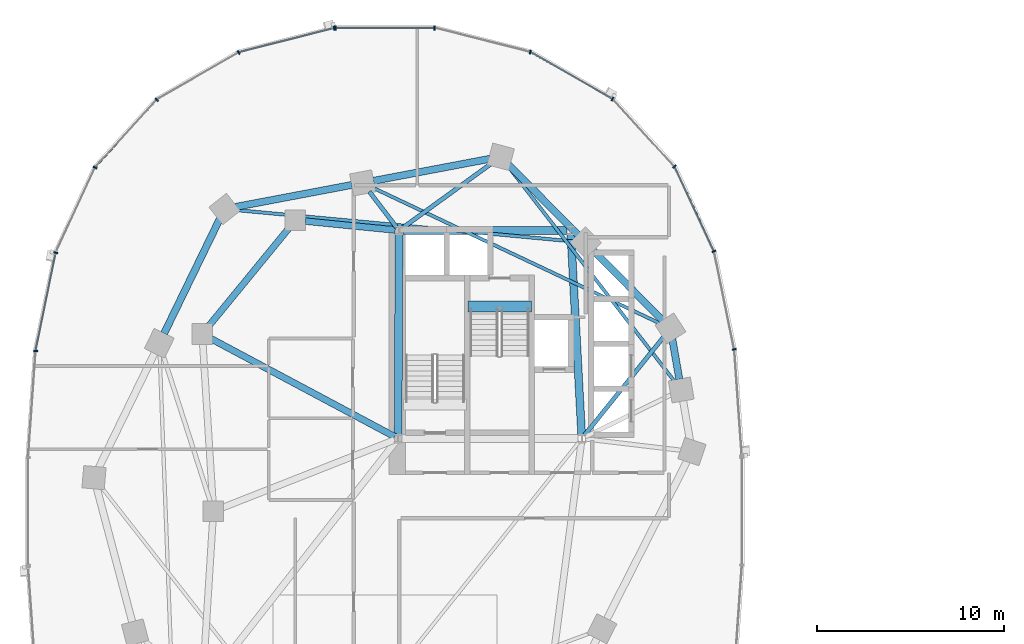
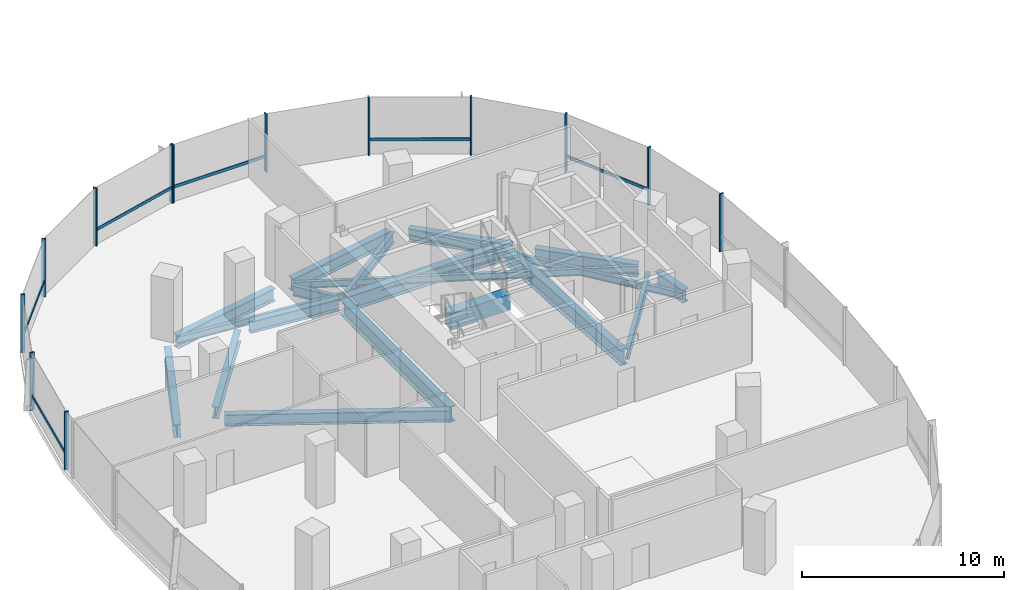
# One storey, part 4 of 21: 19 beams, 19 members, 2 elements without a shape of their own.
"""IFC4 building model written with IfcOpenShell, lengths in metres."""

from ifc_helpers import new_model, si_unit, direction, frame, origin, origin_2d, place, context, subcontext, project, spatial, rectangle, i_section, extrude, material, material_profile, profile_set, type_object, element, aggregate, save


model = new_model("IFC4")

# Units and contexts
model_context = context("Model", 3, precision=1e-05, world=origin(), true_north=direction((0.0, 1.0)))
body_context = subcontext(model_context, "Body", "Model", "MODEL_VIEW")
ifc_project = project(units=[si_unit("LENGTHUNIT", "METRE"), si_unit("AREAUNIT", "SQUARE_METRE"), si_unit("VOLUMEUNIT", "CUBIC_METRE"), si_unit("PLANEANGLEUNIT", "RADIAN"), si_unit("MASSUNIT", "GRAM", prefix="KILO"), si_unit("THERMODYNAMICTEMPERATUREUNIT", "KELVIN"), si_unit("POWERUNIT", "WATT")], contexts=[model_context])

# Site, building, storey
site_placement = place(None, origin())
site = spatial("IfcSite", under=ifc_project, at=site_placement, CompositionType="ELEMENT")
building_placement = place(site_placement, origin())
building = spatial("IfcBuilding", under=site, at=building_placement, Name="Cundina Bronze Exchange", CompositionType="ELEMENT")
storey_placement = place(building_placement, frame((0.0, 0.0, 46.800048828125)))
storey = spatial("IfcBuildingStorey", under=building, at=storey_placement, Name="L11", CompositionType="ELEMENT", Elevation=46.800048828125)

# Beams
ifc_material_1 = material(Name="Concrete C60/75", Category="concrete")
ifc_material_profile_1 = material_profile(ifc_material_1, rectangle(XDim=0.60009765625, YDim=0.949951171875, at=origin_2d()), Name="RC600X950", Category="concrete")
ifc_profile_set_1 = profile_set([ifc_material_profile_1], Name="Concrete C60/75")
beam_type_1 = type_object("IfcBeamType", Name="BM-COUP-RC950", PredefinedType="LINTEL", material=ifc_profile_set_1)
beam_1_placement = place(storey_placement, frame((-27.56005859375, 10.97998046875, -0.47509765625), z_axis=(1.0, 0.0, 0.0), x_axis=(0.0, 1.0, 0.0)))
element("IfcBeam", 1, at=beam_1_placement, inside=storey, type_object=beam_type_1, Name="L11 Stair W2 Landing Header Beam", PredefinedType="LINTEL", context=body_context, shape_type="SweptSolid", body=[
    extrude(rectangle(XDim=0.60009765625, YDim=0.949951171875, at=origin_2d()), origin(), (0.0, 0.0, 1.0), 3.400146484375),
])
ifc_material_2 = material(Name="Steel ASTM A992 Grade 50", Category="steel")
ifc_material_profile_2 = material_profile(ifc_material_2, i_section(OverallWidth=0.22998046875, OverallDepth=0.616943359375, WebThickness=0.01318359375, FlangeThickness=0.022216796875, FilletRadius=0.013916015625, at=origin_2d()), Name="W24X94", Category="steel")
ifc_profile_set_2 = profile_set([ifc_material_profile_2], Name="Steel ASTM A992 Grade 50")
beam_type_2 = type_object("IfcBeamType", Name="BM-FLR-W24B", PredefinedType="BEAM", material=ifc_profile_set_2)
beam_2_placement = place(storey_placement, frame((-21.322021484375, 4.058837890625, -0.608642578125), z_axis=(0.627106366175, 0.778933633568, 0.0), x_axis=(-0.778933633568, 0.627106366175, 0.0)))
element("IfcBeam", 2, at=beam_2_placement, inside=storey, type_object=beam_type_2, Name="L11 Leg W Radial Floor Beam 02", PredefinedType="BEAM", context=body_context, shape_type="SweptSolid", body=[
    extrude(i_section(OverallWidth=0.22998046875, OverallDepth=0.616943359375, WebThickness=0.01318359375, FlangeThickness=0.022216796875, FilletRadius=0.013916015625, at=origin_2d()), origin(), (0.0, 0.0, 1.0), 6.78271484375),
])
beam_3_placement = place(storey_placement, frame((-31.084716796875, 15.169677734375, -0.608642578125), z_axis=(0.809700299677, 0.586843611794, 0.0), x_axis=(-0.586843611794, 0.809700299677, 0.0)))
element("IfcBeam", 3, at=beam_3_placement, inside=storey, type_object=beam_type_2, Name="L11 Leg W Radial Floor Beam 04", PredefinedType="BEAM", context=body_context, shape_type="SweptSolid", body=[
    extrude(i_section(OverallWidth=0.22998046875, OverallDepth=0.616943359375, WebThickness=0.01318359375, FlangeThickness=0.022216796875, FilletRadius=0.013916015625, at=origin_2d()), origin(), (0.0, 0.0, 1.0), 5.938720703125),
])
beam_4_placement = place(storey_placement, frame((-31.373779296875, 15.2119140625, -0.608642578125), z_axis=(-0.607468844289, 0.794343504548, 0.0), x_axis=(-0.794343504548, -0.607468844289, 0.0)))
element("IfcBeam", 4, at=beam_4_placement, inside=storey, type_object=beam_type_2, Name="L11 Leg W Radial Floor Beam 05", PredefinedType="BEAM", context=body_context, shape_type="SweptSolid", body=[
    extrude(i_section(OverallWidth=0.22998046875, OverallDepth=0.616943359375, WebThickness=0.01318359375, FlangeThickness=0.022216796875, FilletRadius=0.013916015625, at=origin_2d()), origin(), (0.0, 0.0, 1.0), 2.418212890625),
])
ifc_material_profile_3 = material_profile(ifc_material_2, i_section(OverallWidth=0.178955078125, OverallDepth=0.409912109375, WebThickness=0.0087890625, FlangeThickness=0.014404296875, FilletRadius=0.010986328125, at=origin_2d()), Name="W16X45", Category="steel")
ifc_profile_set_3 = profile_set([ifc_material_profile_3], Name="Steel ASTM A992 Grade 50")
beam_type_3 = type_object("IfcBeamType", Name="BM-JST-W16", PredefinedType="JOIST", material=ifc_profile_set_3)
beam_5_placement = place(storey_placement, frame((-16.48486328125, 6.965087890625, -0.505126953125), z_axis=(-0.612089386305, 0.790788583108, 0.0), x_axis=(-0.790788583108, -0.612089386305, 0.0)))
element("IfcBeam", 5, at=beam_5_placement, inside=storey, type_object=beam_type_3, Name="L11 Leg W Lobe Floor Joist 01-04", PredefinedType="JOIST", context=body_context, shape_type="SweptSolid", body=[
    extrude(i_section(OverallWidth=0.178955078125, OverallDepth=0.409912109375, WebThickness=0.0087890625, FlangeThickness=0.014404296875, FilletRadius=0.010986328125, at=origin_2d()), origin(), (0.0, 0.0, 1.0), 14.630859375),
])
beam_6_placement = place(storey_placement, frame((-17.231689453125, 10.05126953125, -0.505126953125), z_axis=(-0.904072668297, 0.427378766949, 0.0), x_axis=(-0.427378766949, -0.904072668297, 0.0)))
element("IfcBeam", 6, at=beam_6_placement, inside=storey, type_object=beam_type_3, Name="L11 Leg W Lobe Floor Joist 02-05", PredefinedType="JOIST", context=body_context, shape_type="SweptSolid", body=[
    extrude(i_section(OverallWidth=0.178955078125, OverallDepth=0.409912109375, WebThickness=0.0087890625, FlangeThickness=0.014404296875, FilletRadius=0.010986328125, at=origin_2d()), origin(), (0.0, 0.0, 1.0), 17.07470703125),
])
beam_7_placement = place(storey_placement, frame((-21.83544921875, 14.45458984375, -0.505126953125), z_axis=(-0.995701961644, 0.09261535282, 0.0), x_axis=(-0.09261535282, -0.995701961644, 0.0)))
element("IfcBeam", 7, at=beam_7_placement, inside=storey, type_object=beam_type_3, Name="L11 Leg W Lobe Floor Joist 03-06", PredefinedType="JOIST", context=body_context, shape_type="SweptSolid", body=[
    extrude(i_section(OverallWidth=0.178955078125, OverallDepth=0.409912109375, WebThickness=0.0087890625, FlangeThickness=0.014404296875, FilletRadius=0.010986328125, at=origin_2d()), origin(), (0.0, 0.0, 1.0), 18.25732421875),
])
ifc_material_profile_4 = material_profile(ifc_material_2, i_section(OverallWidth=0.35498046875, OverallDepth=0.695068359375, WebThickness=0.015380859375, FlangeThickness=0.02490234375, FilletRadius=0.01806640625, at=origin_2d()), Name="W27X146", Category="steel")
ifc_profile_set_4 = profile_set([ifc_material_profile_4], Name="Steel ASTM A992 Grade 50")
beam_type_4 = type_object("IfcBeamType", Name="BM-RING-W27", PredefinedType="USERDEFINED", material=ifc_profile_set_4)
beam_8_placement = place(storey_placement, frame((-31.452880859375, 15.070068359375, -0.6474609375), z_axis=(-0.995126271817, 0.098608839051, 0.0), x_axis=(-0.098608839051, -0.995126271817, 0.0)))
element("IfcBeam", 8, at=beam_8_placement, inside=storey, type_object=beam_type_4, Name="L11 W Inner Structural Ring Girder 01", ObjectType="GIRDER", PredefinedType="USERDEFINED", context=body_context, shape_type="SweptSolid", body=[
    extrude(i_section(OverallWidth=0.35498046875, OverallDepth=0.695068359375, WebThickness=0.015380859375, FlangeThickness=0.02490234375, FilletRadius=0.01806640625, at=origin_2d()), origin(), (0.0, 0.0, 1.0), 4.83544921875),
])
beam_9_placement = place(storey_placement, frame((-37.14111328125, 15.183837890625, -0.6474609375), z_axis=(-0.633926549035, -0.773393257295, 0.0), x_axis=(0.773393257295, -0.633926549035, 0.0)))
element("IfcBeam", 9, at=beam_9_placement, inside=storey, type_object=beam_type_4, Name="L11 W Inner Structural Ring Girder 02", ObjectType="GIRDER", PredefinedType="USERDEFINED", context=body_context, shape_type="SweptSolid", body=[
    extrude(i_section(OverallWidth=0.35498046875, OverallDepth=0.695068359375, WebThickness=0.015380859375, FlangeThickness=0.02490234375, FilletRadius=0.01806640625, at=origin_2d()), origin(), (0.0, 0.0, 1.0), 6.811279296875),
])
beam_10_placement = place(storey_placement, frame((-31.47998046875, 3.99609375, -0.6474609375), z_axis=(-0.882354758239, 0.470584828286, 0.0), x_axis=(-0.470584828286, -0.882354758239, 0.0)))
element("IfcBeam", 10, at=beam_10_placement, inside=storey, type_object=beam_type_4, Name="L11 W Core-to-Waist Tie Beam 2", ObjectType="GIRDER", PredefinedType="USERDEFINED", context=body_context, shape_type="SweptSolid", body=[
    extrude(i_section(OverallWidth=0.35498046875, OverallDepth=0.695068359375, WebThickness=0.015380859375, FlangeThickness=0.02490234375, FilletRadius=0.01806640625, at=origin_2d()), origin(), (0.0, 0.0, 1.0), 11.157958984375),
])
ifc_material_profile_5 = material_profile(ifc_material_2, i_section(OverallWidth=0.381103515625, OverallDepth=0.77294921875, WebThickness=0.0166015625, FlangeThickness=0.027099609375, FilletRadius=0.01904296875, at=origin_2d()), Name="W30X173", Category="steel")
ifc_profile_set_5 = profile_set([ifc_material_profile_5], Name="Steel ASTM A992 Grade 50")
beam_type_5 = type_object("IfcBeamType", Name="BM-RING-W30", PredefinedType="USERDEFINED", material=ifc_profile_set_5)
beam_11_placement = place(storey_placement, frame((-16.225830078125, 7.079345703125, -0.6865234375), z_axis=(-0.171734584051, 0.985143254883, 0.0), x_axis=(-0.985143254883, -0.171734584051, 0.0)))
element("IfcBeam", 11, at=beam_11_placement, inside=storey, type_object=beam_type_5, Name="L11 W Perimeter Ring Girder 01", ObjectType="GIRDER", PredefinedType="USERDEFINED", context=body_context, shape_type="SweptSolid", body=[
    extrude(i_section(OverallWidth=0.381103515625, OverallDepth=0.77294921875, WebThickness=0.0166015625, FlangeThickness=0.027099609375, FilletRadius=0.01904296875, at=origin_2d()), origin(), (0.0, 0.0, 1.0), 2.173583984375),
])
for number, where, z_axis, x_axis, name in (
    (12, (-17.113525390625, 10.218017578125, -0.6865234375), (-0.703222428859, 0.710969911845, 0.0), (-0.710969911845, -0.703222428859, 0.0), "L11 W Perimeter Ring Girder 02"),
    (13, (-21.66357421875, 14.818115234375, -0.6865234375), (-0.703222428859, 0.710969911845, 0.0), (-0.710969911845, -0.703222428859, 0.0), "L11 W Perimeter Ring Girder 03"),
):
    element("IfcBeam", number, at=place(storey_placement, frame(where, z_axis=z_axis, x_axis=x_axis)), inside=storey, type_object=beam_type_5, Name=name, ObjectType="GIRDER", PredefinedType="USERDEFINED", context=body_context, shape_type="SweptSolid", body=[
        extrude(i_section(OverallWidth=0.381103515625, OverallDepth=0.77294921875, WebThickness=0.0166015625, FlangeThickness=0.027099609375, FilletRadius=0.01904296875, at=origin_2d()), origin(), (0.0, 0.0, 1.0), 5.2939453125),
    ])
beam_12_placement = place(storey_placement, frame((-26.377685546875, 18.890625, -0.6865234375), z_axis=(-0.982570814598, -0.185888661031, 0.0), x_axis=(0.185888661031, -0.982570814598, 0.0)))
element("IfcBeam", 14, at=beam_12_placement, inside=storey, type_object=beam_type_5, Name="L11 W Perimeter Ring Girder 04", ObjectType="GIRDER", PredefinedType="USERDEFINED", context=body_context, shape_type="SweptSolid", body=[
    extrude(i_section(OverallWidth=0.381103515625, OverallDepth=0.77294921875, WebThickness=0.0166015625, FlangeThickness=0.027099609375, FilletRadius=0.01904296875, at=origin_2d()), origin(), (0.0, 0.0, 1.0), 6.35546875),
])
beam_13_placement = place(storey_placement, frame((-33.77783203125, 17.49072265625, -0.6865234375), z_axis=(-0.982569487119, -0.185895677686, 0.0), x_axis=(0.185895677686, -0.982569487119, 0.0)))
element("IfcBeam", 15, at=beam_13_placement, inside=storey, type_object=beam_type_5, Name="L11 W Perimeter Ring Girder 05", ObjectType="GIRDER", PredefinedType="USERDEFINED", context=body_context, shape_type="SweptSolid", body=[
    extrude(i_section(OverallWidth=0.381103515625, OverallDepth=0.77294921875, WebThickness=0.0166015625, FlangeThickness=0.027099609375, FilletRadius=0.01904296875, at=origin_2d()), origin(), (0.0, 0.0, 1.0), 6.355224609375),
])
beam_14_placement = place(storey_placement, frame((-40.857177734375, 15.671142578125, -0.6865234375), z_axis=(-0.437190698904, -0.899368830231, 0.0), x_axis=(0.899368830231, -0.437190698904, 0.0)))
element("IfcBeam", 16, at=beam_14_placement, inside=storey, type_object=beam_type_5, Name="L11 W Perimeter Ring Girder 06", ObjectType="GIRDER", PredefinedType="USERDEFINED", context=body_context, shape_type="SweptSolid", body=[
    extrude(i_section(OverallWidth=0.381103515625, OverallDepth=0.77294921875, WebThickness=0.0166015625, FlangeThickness=0.027099609375, FilletRadius=0.01904296875, at=origin_2d()), origin(), (0.0, 0.0, 1.0), 6.82958984375),
])
ifc_material_profile_6 = material_profile(ifc_material_2, i_section(OverallWidth=0.41796875, OverallDepth=0.927001953125, WebThickness=0.019287109375, FlangeThickness=0.031982421875, FilletRadius=0.02392578125, at=origin_2d()), Name="W36X231", Category="steel")
ifc_profile_set_6 = profile_set([ifc_material_profile_6], Name="Steel ASTM A992 Grade 50")
beam_type_6 = type_object("IfcBeamType", Name="BM-WRN-W36B", PredefinedType="USERDEFINED", material=ifc_profile_set_6)
beam_15_placement = place(storey_placement, frame((-21.4609375, 4.103759765625, -0.763427734375), z_axis=(-0.053739193498, 0.998555005537, 0.0), x_axis=(-0.998555005537, -0.053739193498, 0.0)))
element("IfcBeam", 17, at=beam_15_placement, inside=storey, type_object=beam_type_6, Name="L11 W Core Perimeter Tie Girder 2", ObjectType="GIRDER", PredefinedType="USERDEFINED", context=body_context, shape_type="SweptSolid", body=[
    extrude(i_section(OverallWidth=0.41796875, OverallDepth=0.927001953125, WebThickness=0.019287109375, FlangeThickness=0.031982421875, FilletRadius=0.02392578125, at=origin_2d()), origin(), (0.0, 0.0, 1.0), 10.758056640625),
])
beam_16_placement = place(storey_placement, frame((-22.25390625, 15.050048828125, -0.763427734375), z_axis=(-1.0, 0.0, 0.0), x_axis=(0.0, -1.0, 0.0)))
element("IfcBeam", 18, at=beam_16_placement, inside=storey, type_object=beam_type_6, Name="L11 W Core Perimeter Tie Girder 3", ObjectType="GIRDER", PredefinedType="USERDEFINED", context=body_context, shape_type="SweptSolid", body=[
    extrude(i_section(OverallWidth=0.41796875, OverallDepth=0.927001953125, WebThickness=0.019287109375, FlangeThickness=0.031982421875, FilletRadius=0.02392578125, at=origin_2d()), origin(), (0.0, 0.0, 1.0), 8.7919921875),
])
beam_17_placement = place(storey_placement, frame((-31.2509765625, 14.845947265625, -0.763427734375), z_axis=(-0.004477329608, -0.99998997671, 0.0), x_axis=(0.99998997671, -0.004477329608, 0.0)))
element("IfcBeam", 19, at=beam_17_placement, inside=storey, type_object=beam_type_6, Name="L11 W Core Perimeter Tie Girder 4", ObjectType="GIRDER", PredefinedType="USERDEFINED", context=body_context, shape_type="SweptSolid", body=[
    extrude(i_section(OverallWidth=0.41796875, OverallDepth=0.927001953125, WebThickness=0.019287109375, FlangeThickness=0.031982421875, FilletRadius=0.02392578125, at=origin_2d()), origin(), (0.0, 0.0, 1.0), 10.741943359375),
])

# Curtain wall, members
ifc_material_3 = material(Name="Anodised Bronze Aluminium 6063-T6", Category="aluminium")
curtain_wall_type = type_object("IfcCurtainWallType", Name="CWS-TRD-LOW", PredefinedType="NOTDEFINED", material=ifc_material_3)
curtain_wall_1_placement = place(storey_placement, origin())
curtain_wall_1 = element("IfcCurtainWall", 20, at=curtain_wall_1_placement, inside=storey, type_object=curtain_wall_type, Name="L11 CW-02 Curtain Wall Run CWR-L11-W1", PredefinedType="NOTDEFINED")
ifc_material_profile_7 = material_profile(ifc_material_3, rectangle(XDim=0.074951171875, YDim=0.219970703125, at=origin_2d()), Name="AL75X220", Category="aluminium")
ifc_profile_set_7 = profile_set([ifc_material_profile_7], Name="Anodised Bronze Aluminium 6063-T6")
member_type_1 = type_object("IfcMemberType", Name="CWM-MUL-220", PredefinedType="MULLION", material=ifc_profile_set_7)
member_1_placement = place(storey_placement, frame((-13.282958984375, 8.67822265625, 0.0), z_axis=(0.0, 0.0, 1.0), x_axis=(-0.201419845156, 0.979505000486, 0.0)))
member_1 = element("IfcMember", 21, at=member_1_placement, type_object=member_type_1, Name="CW-02 Mullion 2", PredefinedType="MULLION", context=body_context, shape_type="SweptSolid", body=[
    extrude(rectangle(XDim=0.074951171875, YDim=0.219970703125, at=origin_2d()), origin(), (0.0, 0.0, 1.0), 3.5),
])
member_2_placement = place(storey_placement, frame((-14.3720703125, 13.931884765625, 0.0), z_axis=(0.0, 0.0, 1.0), x_axis=(-0.42087749791, 0.907117485088, 0.0)))
member_2 = element("IfcMember", 22, at=member_2_placement, type_object=member_type_1, Name="CW-02 Mullion 3", PredefinedType="MULLION", context=body_context, shape_type="SweptSolid", body=[
    extrude(rectangle(XDim=0.074951171875, YDim=0.219970703125, at=origin_2d()), origin(), (0.0, 0.0, 1.0), 3.5),
])
member_3_placement = place(storey_placement, frame((-16.491455078125, 18.47705078125, 0.0), z_axis=(0.0, 0.0, 1.0), x_axis=(-0.674302387584, 0.738455340626, 0.0)))
member_3 = element("IfcMember", 23, at=member_3_placement, type_object=member_type_1, Name="CW-02 Mullion 4", PredefinedType="MULLION", context=body_context, shape_type="SweptSolid", body=[
    extrude(rectangle(XDim=0.074951171875, YDim=0.219970703125, at=origin_2d()), origin(), (0.0, 0.0, 1.0), 3.5),
])
member_4_placement = place(storey_placement, frame((-19.810302734375, 22.097412109375, 0.0), z_axis=(0.0, 0.0, 1.0), x_axis=(-0.867070701164, 0.498185105339, 0.0)))
member_4 = element("IfcMember", 24, at=member_4_placement, type_object=member_type_1, Name="CW-02 Mullion 5", PredefinedType="MULLION", context=body_context, shape_type="SweptSolid", body=[
    extrude(rectangle(XDim=0.074951171875, YDim=0.219970703125, at=origin_2d()), origin(), (0.0, 0.0, 1.0), 3.5),
])
member_5_placement = place(storey_placement, frame((-24.21484375, 24.61669921875, 0.0), z_axis=(0.0, 0.0, 1.0), x_axis=(-0.969488149345, 0.245138182011, 0.0)))
member_5 = element("IfcMember", 25, at=member_5_placement, type_object=member_type_1, Name="CW-02 Mullion 6", PredefinedType="MULLION", context=body_context, shape_type="SweptSolid", body=[
    extrude(rectangle(XDim=0.074951171875, YDim=0.219970703125, at=origin_2d()), origin(), (0.0, 0.0, 1.0), 3.5),
])
member_6_placement = place(storey_placement, frame((-29.345458984375, 25.905029296875, 0.0), z_axis=(0.0, 0.0, 1.0), x_axis=(-1.0, 0.0, 0.0)))
member_6 = element("IfcMember", 26, at=member_6_placement, type_object=member_type_1, Name="CW-02 Mullion 7", PredefinedType="MULLION", context=body_context, shape_type="SweptSolid", body=[
    extrude(rectangle(XDim=0.074951171875, YDim=0.219970703125, at=origin_2d()), origin(), (0.0, 0.0, 1.0), 3.5),
])
member_7_placement = place(storey_placement, frame((-34.654541015625, 25.905029296875, 0.0), z_axis=(0.0, 0.0, 1.0), x_axis=(-1.0, 0.0, 0.0)))
member_7 = element("IfcMember", 27, at=member_7_placement, type_object=member_type_1, Name="CW-02 End Mullion", PredefinedType="MULLION", context=body_context, shape_type="SweptSolid", body=[
    extrude(rectangle(XDim=0.074951171875, YDim=0.219970703125, at=origin_2d()), origin(), (0.0, 0.0, 1.0), 3.5),
])

curtain_wall_2_placement = place(storey_placement, origin())
curtain_wall_2 = element("IfcCurtainWall", 28, at=curtain_wall_2_placement, inside=storey, type_object=curtain_wall_type, Name="L11 CW-02 Curtain Wall Run CWR-L11-W2", PredefinedType="NOTDEFINED")
member_8_placement = place(storey_placement, frame((-34.72607421875, 25.89599609375, 0.0), z_axis=(0.0, 0.0, 1.0), x_axis=(-0.969488149345, -0.245138182011, 0.0)))
member_8 = element("IfcMember", 29, at=member_8_placement, type_object=member_type_1, Name="CW-02 Mullion 1", PredefinedType="MULLION", context=body_context, shape_type="SweptSolid", body=[
    extrude(rectangle(XDim=0.074951171875, YDim=0.219970703125, at=origin_2d()), origin(), (0.0, 0.0, 1.0), 3.5),
])
member_9_placement = place(storey_placement, frame((-39.848876953125, 24.591064453125, 0.0), z_axis=(0.0, 0.0, 1.0), x_axis=(-0.867070701164, -0.498185105339, 0.0)))
member_9 = element("IfcMember", 30, at=member_9_placement, type_object=member_type_1, Name="CW-02 Mullion 2", PredefinedType="MULLION", context=body_context, shape_type="SweptSolid", body=[
    extrude(rectangle(XDim=0.074951171875, YDim=0.219970703125, at=origin_2d()), origin(), (0.0, 0.0, 1.0), 3.5),
])
member_10_placement = place(storey_placement, frame((-44.239501953125, 22.0576171875, 0.0), z_axis=(0.0, 0.0, 1.0), x_axis=(-0.674302387584, -0.738455340626, 0.0)))
member_10 = element("IfcMember", 31, at=member_10_placement, type_object=member_type_1, Name="CW-02 Mullion 3", PredefinedType="MULLION", context=body_context, shape_type="SweptSolid", body=[
    extrude(rectangle(XDim=0.074951171875, YDim=0.219970703125, at=origin_2d()), origin(), (0.0, 0.0, 1.0), 3.5),
])
member_11_placement = place(storey_placement, frame((-47.544189453125, 18.423583984375, 0.0), z_axis=(0.0, 0.0, 1.0), x_axis=(-0.42087749791, -0.907117485088, 0.0)))
member_11 = element("IfcMember", 32, at=member_11_placement, type_object=member_type_1, Name="CW-02 Mullion 4", PredefinedType="MULLION", context=body_context, shape_type="SweptSolid", body=[
    extrude(rectangle(XDim=0.074951171875, YDim=0.219970703125, at=origin_2d()), origin(), (0.0, 0.0, 1.0), 3.5),
])
member_12_placement = place(storey_placement, frame((-49.651123046875, 13.861328125, 0.0), z_axis=(0.0, 0.0, 1.0), x_axis=(-0.201419845156, -0.979505000486, 0.0)))
member_12 = element("IfcMember", 33, at=member_12_placement, type_object=member_type_1, Name="CW-02 Mullion 5", PredefinedType="MULLION", context=body_context, shape_type="SweptSolid", body=[
    extrude(rectangle(XDim=0.074951171875, YDim=0.219970703125, at=origin_2d()), origin(), (0.0, 0.0, 1.0), 3.5),
])
member_13_placement = place(storey_placement, frame((-50.72900390625, 8.591552734375, 0.0), z_axis=(0.0, 0.0, 1.0), x_axis=(-0.070278787473, -0.997527389113, 0.0)))
member_13 = element("IfcMember", 34, at=member_13_placement, type_object=member_type_1, Name="CW-02 Mullion 6", PredefinedType="MULLION", context=body_context, shape_type="SweptSolid", body=[
    extrude(rectangle(XDim=0.074951171875, YDim=0.219970703125, at=origin_2d()), origin(), (0.0, 0.0, 1.0), 3.5),
])

# Member
ifc_material_profile_8 = material_profile(ifc_material_3, rectangle(XDim=0.070068359375, YDim=0.179931640625, at=origin_2d()), Name="AL70X180", Category="aluminium")
ifc_profile_set_8 = profile_set([ifc_material_profile_8], Name="Anodised Bronze Aluminium 6063-T6")
member_type_2 = type_object("IfcMemberType", Name="CWM-TRN-180", PredefinedType="USERDEFINED", material=ifc_profile_set_8)
member_14_placement = place(storey_placement, frame((-14.389404296875, 13.96923828125, 0.919921875), z_axis=(-0.420811422796, 0.907148139195, 0.0), x_axis=(-0.907148139195, -0.420811422796, 0.0)))
member_14 = element("IfcMember", 35, at=member_14_placement, type_object=member_type_2, Name="CW-02 Spandrel Transom 3", ObjectType="TRANSOM", PredefinedType="USERDEFINED", context=body_context, shape_type="SweptSolid", body=[
    extrude(rectangle(XDim=0.070068359375, YDim=0.179931640625, at=origin_2d()), origin(), (0.0, 0.0, 1.0), 4.95166015625),
])

member_15_placement = place(storey_placement, frame((-19.845947265625, 22.117919921875, 0.919921875), z_axis=(-0.867097475651, 0.498138502546, 0.0), x_axis=(-0.498138502546, -0.867097475651, 0.0)))
member_15 = element("IfcMember", 36, at=member_15_placement, type_object=member_type_2, Name="CW-02 Spandrel Transom 5", ObjectType="TRANSOM", PredefinedType="USERDEFINED", context=body_context, shape_type="SweptSolid", body=[
    extrude(rectangle(XDim=0.070068359375, YDim=0.179931640625, at=origin_2d()), origin(), (0.0, 0.0, 1.0), 5.00634765625),
])

member_16_placement = place(storey_placement, frame((-29.38671875, 25.905029296875, 0.919921875), z_axis=(-1.0, 0.0, 0.0), x_axis=(0.0, -1.0, 0.0)))
member_16 = element("IfcMember", 37, at=member_16_placement, type_object=member_type_2, Name="CW-02 Spandrel Transom 7", ObjectType="TRANSOM", PredefinedType="USERDEFINED", context=body_context, shape_type="SweptSolid", body=[
    extrude(rectangle(XDim=0.070068359375, YDim=0.179931640625, at=origin_2d()), origin(), (0.0, 0.0, 1.0), 5.2265625),
])

aggregate(curtain_wall_1, [member_1, member_2, member_14, member_3, member_4, member_15, member_5, member_6, member_7, member_16])

member_17_placement = place(storey_placement, frame((-34.76611328125, 25.885986328125, 0.919921875), z_axis=(-0.969483968866, -0.245154714644, 0.0), x_axis=(0.245154714644, -0.969483968866, 0.0)))
member_17 = element("IfcMember", 38, at=member_17_placement, type_object=member_type_2, Name="CW-02 Spandrel Transom 1", ObjectType="TRANSOM", PredefinedType="USERDEFINED", context=body_context, shape_type="SweptSolid", body=[
    extrude(rectangle(XDim=0.070068359375, YDim=0.179931640625, at=origin_2d()), origin(), (0.0, 0.0, 1.0), 5.21826171875),
])

member_18_placement = place(storey_placement, frame((-44.26708984375, 22.027099609375, 0.919921875), z_axis=(-0.674302794847, -0.738454968743, 0.0), x_axis=(0.738454968743, -0.674302794847, 0.0)))
member_18 = element("IfcMember", 39, at=member_18_placement, type_object=member_type_2, Name="CW-02 Spandrel Transom 3", ObjectType="TRANSOM", PredefinedType="USERDEFINED", context=body_context, shape_type="SweptSolid", body=[
    extrude(rectangle(XDim=0.070068359375, YDim=0.179931640625, at=origin_2d()), origin(), (0.0, 0.0, 1.0), 4.848388671875),
])

member_19_placement = place(storey_placement, frame((-49.659423828125, 13.821044921875, 0.919921875), z_axis=(-0.201427712708, -0.979503382615, 0.0), x_axis=(0.979503382615, -0.201427712708, 0.0)))
member_19 = element("IfcMember", 40, at=member_19_placement, type_object=member_type_2, Name="CW-02 Spandrel Transom 5", ObjectType="TRANSOM", PredefinedType="USERDEFINED", context=body_context, shape_type="SweptSolid", body=[
    extrude(rectangle(XDim=0.070068359375, YDim=0.179931640625, at=origin_2d()), origin(), (0.0, 0.0, 1.0), 5.291748046875),
])

aggregate(curtain_wall_2, [member_8, member_17, member_9, member_10, member_18, member_11, member_12, member_19, member_13])

save(model, "model.ifc")
